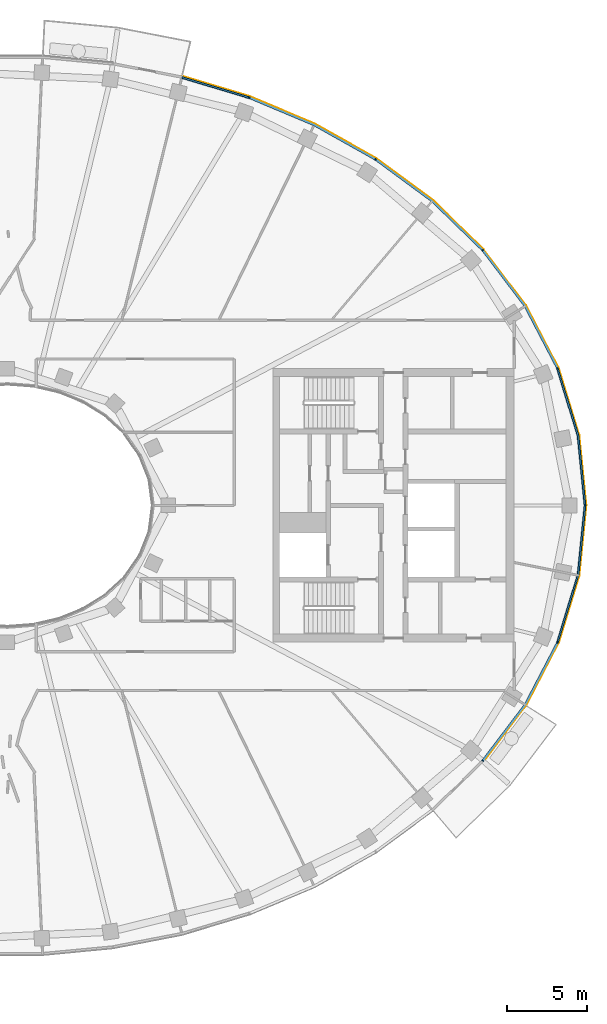
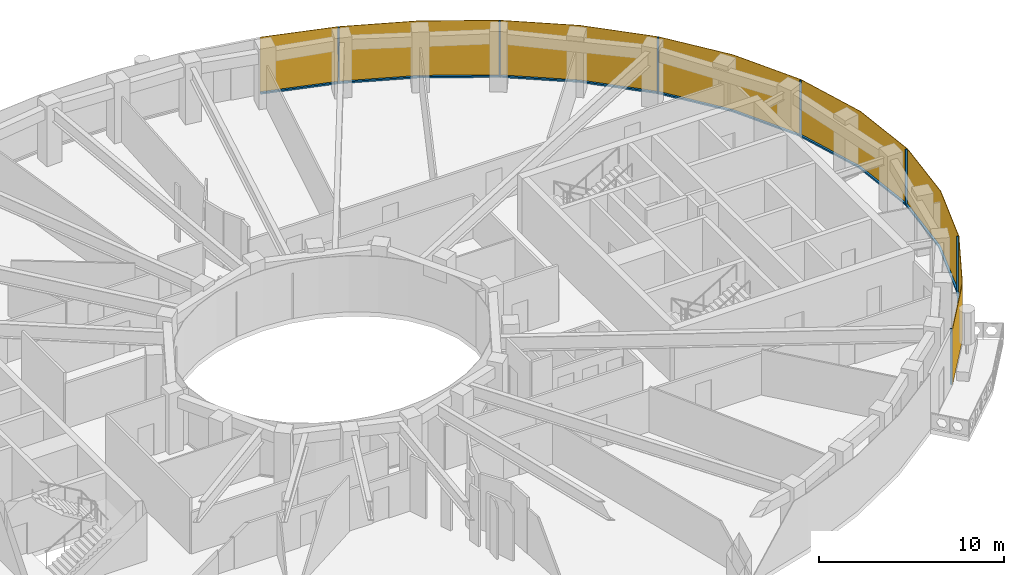
# One storey, part 13 of 16: 14 members, 1 curtain wall.
"""IFC4 building model written with IfcOpenShell, lengths in metres."""

import ifcopenshell
import ifcopenshell.guid

model = None  # the IFC model being written
_history = None  # IfcOwnerHistory: only IFC2X3 demands one
_inside = {}  # id of a spatial element -> (the spatial element, [elements in it])
_under = {}  # id of a project, library or spatial element -> (it, [spatial elements below it])
_declared = {}  # id of a project -> (the project, [libraries it declares])
_typed = {}  # id of a type object -> (the type object, [elements of that type])
_made_of = {}  # id of a material, layer set ... -> (it, [elements and type objects made of it])


def new_model(schema):
    """Start an empty IFC model of exactly this schema.

    Asked for "IFC4X3", IfcOpenShell would pick the latest addendum, in which some entities
    have other attributes; the version numbers below select the first issue.
    IFC2X3 requires an IfcOwnerHistory on every rooted entity: one is made here for all.
    """
    global model, _history
    if schema == "IFC4X3":
        model = ifcopenshell.file(schema_version=(4, 3, 0, 0))
    else:
        model = ifcopenshell.file(schema=schema)
    _inside.clear()
    _under.clear()
    _declared.clear()
    _typed.clear()
    _made_of.clear()
    _history = None
    if model.schema == "IFC2X3":
        org = make("IfcOrganization", Name="unknown")
        user = make(
            "IfcPersonAndOrganization",
            ThePerson=make("IfcPerson", FamilyName="unknown"),
            TheOrganization=org,
        )
        app = make(
            "IfcApplication",
            ApplicationDeveloper=org,
            Version="unknown",
            ApplicationFullName="unknown",
            ApplicationIdentifier="unknown",
        )
        _history = make(
            "IfcOwnerHistory",
            OwningUser=user,
            OwningApplication=app,
            ChangeAction="ADDED",
            CreationDate=0,
        )
    return model


def make(cls, **values):
    """One entity of the class cls with the attributes given. An attribute that is None is left unset."""
    return model.create_entity(
        cls, **{name: value for name, value in values.items() if value is not None}
    )


def rooted(cls, **values):
    """An entity with a GlobalId (a new one), such as an element, a storey or a relation."""
    return make(cls, GlobalId=ifcopenshell.guid.new(), OwnerHistory=_history, **values)


def si_unit(unit_type, name, prefix=None):
    """IfcSIUnit, for example si_unit("LENGTHUNIT", "METRE", prefix="MILLI")."""
    return make("IfcSIUnit", UnitType=unit_type, Prefix=prefix, Name=name)


def assignment(units):
    """IfcUnitAssignment: the units of a project."""
    return None if units is None else make("IfcUnitAssignment", Units=units)


def point(xyz):
    """IfcCartesianPoint."""
    return None if xyz is None else make("IfcCartesianPoint", Coordinates=xyz)


def direction(xyz):
    """IfcDirection."""
    return None if xyz is None else make("IfcDirection", DirectionRatios=xyz)


def frame(location, z_axis=None, x_axis=None):
    """IfcAxis2Placement3D, a coordinate frame: its origin and axes. An axis left out is left unset."""
    return make(
        "IfcAxis2Placement3D",
        Location=point(location),
        Axis=direction(z_axis),
        RefDirection=direction(x_axis),
    )


def frame_2d(location, x_axis=None):
    """IfcAxis2Placement2D, a coordinate frame in the plane: its origin and x axis."""
    return make(
        "IfcAxis2Placement2D", Location=point(location), RefDirection=direction(x_axis)
    )


def origin():
    """The frame at (0, 0, 0) with its axes left unset."""
    return frame((0.0, 0.0, 0.0))


def origin_2d():
    """The frame at (0, 0) in the plane with its x axis left unset."""
    return frame_2d((0.0, 0.0))


def place(relative_to, where):
    """IfcLocalPlacement: puts the frame where relative to a parent placement (None: the world)."""
    return make(
        "IfcLocalPlacement", PlacementRelTo=relative_to, RelativePlacement=where
    )


def context(
    kind, dimensions, precision=None, world=None, true_north=None, identifier=None
):
    """IfcGeometricRepresentationContext, for example the 3D "Model" context."""
    return make(
        "IfcGeometricRepresentationContext",
        ContextIdentifier=identifier,
        ContextType=kind,
        CoordinateSpaceDimension=dimensions,
        Precision=precision,
        WorldCoordinateSystem=world,
        TrueNorth=true_north,
    )


def subcontext(parent, identifier, kind, view, scale=None):
    """IfcGeometricRepresentationSubContext, for example "Body" below "Model"."""
    return make(
        "IfcGeometricRepresentationSubContext",
        ContextIdentifier=identifier,
        ContextType=kind,
        ParentContext=parent,
        TargetScale=scale,
        TargetView=view,
    )


def project(units=None, contexts=None):
    """IfcProject with its units and contexts."""
    return rooted(
        "IfcProject",
        Name="project",
        RepresentationContexts=contexts,
        UnitsInContext=assignment(units),
    )


def spatial(cls, under=None, at=None, **own):
    """A site, building, storey or space (cls), placed at a placement, below another one or the project."""
    s = rooted(cls, ObjectPlacement=at, **own)
    if under is not None:
        _under.setdefault(under.id(), (under, []))[1].append(s)
    return s


def polyline(points):
    """IfcPolyline through the points."""
    return make("IfcPolyline", Points=[point(p) for p in points])


def profile(cls, at=None, kind="AREA", **sizes):
    """A parametric profile (cls). Its sizes go by their IFC names, for example OverallWidth=200.0."""
    return make(cls, ProfileType=kind, Position=at, **sizes)


def rectangle(**sizes):
    """IfcRectangleProfileDef."""
    return profile("IfcRectangleProfileDef", **sizes)


def outline(outer, holes=None, kind="AREA"):
    """IfcArbitraryClosedProfileDef: a profile drawn as a closed curve; with holes, ...WithVoids."""
    if holes is None:
        return make("IfcArbitraryClosedProfileDef", ProfileType=kind, OuterCurve=outer)
    return make(
        "IfcArbitraryProfileDefWithVoids",
        ProfileType=kind,
        OuterCurve=outer,
        InnerCurves=holes,
    )


def extrude(swept, where, along, depth):
    """IfcExtrudedAreaSolid: the profile swept, set in the frame where, extruded along a direction by depth."""
    return make(
        "IfcExtrudedAreaSolid",
        SweptArea=swept,
        Position=where,
        ExtrudedDirection=direction(along),
        Depth=depth,
    )


def shape(context_of_items, identifier, shape_type, items):
    """IfcShapeRepresentation: the items that make up one representation, for example the "Body"."""
    return make(
        "IfcShapeRepresentation",
        ContextOfItems=context_of_items,
        RepresentationIdentifier=identifier,
        RepresentationType=shape_type,
        Items=items,
    )


def material(Name=None, Category=None):
    """IfcMaterial."""
    return make("IfcMaterial", Name=Name, Category=Category)


def layer(
    of_material, thickness, ventilated=None, Name=None, Category=None, Priority=None
):
    """IfcMaterialLayer: one layer of a wall or slab, of a material (None: an air gap)."""
    return make(
        "IfcMaterialLayer",
        Material=of_material,
        LayerThickness=thickness,
        IsVentilated=ventilated,
        Name=Name,
        Category=Category,
        Priority=Priority,
    )


def layer_set(layers, Name=None):
    """IfcMaterialLayerSet."""
    return make("IfcMaterialLayerSet", MaterialLayers=layers, LayerSetName=Name)


def material_profile(
    of_material, cross_section, Name=None, Category=None, Priority=None
):
    """IfcMaterialProfile: a cross section and its material."""
    return make(
        "IfcMaterialProfile",
        Name=Name,
        Material=of_material,
        Profile=cross_section,
        Priority=Priority,
        Category=Category,
    )


def profile_set(profiles, Name=None, composite=None):
    """IfcMaterialProfileSet."""
    return make(
        "IfcMaterialProfileSet",
        Name=Name,
        MaterialProfiles=profiles,
        CompositeProfile=composite,
    )


def made_of(thing, what):
    """Note that an element or type object is made of a material, layer set ...; save() writes the relation."""
    if what is not None:
        _made_of.setdefault(what.id(), (what, []))[1].append(thing)
    return thing


def type_object(cls, material=None, **own):
    """A type object (cls), such as IfcWallType, which elements share."""
    return made_of(rooted(cls, **own), material)


def element(
    cls,
    number,
    at=None,
    inside=None,
    cuts=None,
    type_object=None,
    material=None,
    context=None,
    identifier="Body",
    shape_type=None,
    held_by="IfcProductDefinitionShape",
    body=None,
    shapes=None,
    **own,
):
    """One element of the class cls, such as IfcWall. Its Tag is "e" and its number.

    at: its placement. inside: the storey or other place that contains it. cuts: it is an
    opening in that element (IfcRelVoidsElement). A single representation is given by context,
    identifier, shape_type and body (its items); several are given by shapes. held_by: the class
    of the entity that holds the representations. save() writes the other relations.
    """
    e = rooted(cls, Tag="e%d" % number, ObjectPlacement=at, **own)
    if body is not None:
        shapes = [shape(context, identifier, shape_type, body)]
    if shapes is not None:
        e.Representation = make(held_by, Representations=shapes)
    if inside is not None:
        _inside.setdefault(inside.id(), (inside, []))[1].append(e)
    if cuts is not None:
        rooted(
            "IfcRelVoidsElement", RelatingBuildingElement=cuts, RelatedOpeningElement=e
        )
    if type_object is not None:
        _typed.setdefault(type_object.id(), (type_object, []))[1].append(e)
    return made_of(e, material)


def aggregate(whole, parts):
    """IfcRelAggregates: a whole, such as a stair, and the parts it consists of."""
    return rooted("IfcRelAggregates", RelatingObject=whole, RelatedObjects=parts)


def save(model, path):
    """Write the relations noted so far, then the file.

    IfcRelAggregates (storeys below a building ...), IfcRelContainedInSpatialStructure (elements
    in a storey), IfcRelDefinesByType, IfcRelAssociatesMaterial and IfcRelDeclares: one each for
    every whole, place, type object, material and project.
    """
    for whole, parts in _under.values():
        aggregate(whole, parts)
    for where, things in _inside.values():
        rooted(
            "IfcRelContainedInSpatialStructure",
            RelatedElements=things,
            RelatingStructure=where,
        )
    for kind, things in _typed.values():
        rooted("IfcRelDefinesByType", RelatedObjects=things, RelatingType=kind)
    for what, things in _made_of.values():
        rooted("IfcRelAssociatesMaterial", RelatedObjects=things, RelatingMaterial=what)
    for by, libraries in _declared.values():
        rooted("IfcRelDeclares", RelatingContext=by, RelatedDefinitions=libraries)
    model.write(path)


model = new_model("IFC4")

# Units and contexts
model_context = context("Model", 3, precision=1e-05, world=origin(), true_north=direction((0.0, 1.0)))
body_context = subcontext(model_context, "Body", "Model", "MODEL_VIEW")
ifc_project = project(units=[si_unit("LENGTHUNIT", "METRE"), si_unit("AREAUNIT", "SQUARE_METRE"), si_unit("VOLUMEUNIT", "CUBIC_METRE"), si_unit("PLANEANGLEUNIT", "RADIAN"), si_unit("MASSUNIT", "GRAM", prefix="KILO")], contexts=[model_context])

# Member
ifc_material_1 = material(Name="Aluminium 6063-T6 black anodised", Category="aluminium")
ifc_material_profile = material_profile(ifc_material_1, rectangle(XDim=0.1201171875, YDim=0.06005859375, at=origin_2d()), Name="120x60")
ifc_profile_set = profile_set([ifc_material_profile], Name="Aluminium 6063-T6 black anodised")
member_type_1 = type_object("IfcMemberType", Name="ENV-MULLION-A-120", PredefinedType="MULLION", material=ifc_profile_set)
site_placement = place(None, origin())
building_placement = place(site_placement, origin())
storey_placement = place(building_placement, frame((0.0, 0.0, 315.0)))
member_1_placement = place(storey_placement, frame((29.53857421875, -15.8671875, 0.0), z_axis=(0.0, 0.0, 1.0), x_axis=(-0.749047221705, 0.662516610853, 0.0)))
member_1 = element("IfcMember", 1, at=member_1_placement, type_object=member_type_1, Name="Mullion A radial 43", PredefinedType="MULLION", context=body_context, shape_type="SweptSolid", body=[
    extrude(rectangle(XDim=0.1201171875, YDim=0.06005859375, at=origin_2d()), origin(), (0.0, 0.0, 1.0), 3.699951171875),
])

member_2_placement = place(storey_placement, frame((34.19580078125, -8.513916015625, 0.0), z_axis=(0.0, 0.0, 1.0), x_axis=(-0.92546738067, 0.378827305398, 0.0)))
member_2 = element("IfcMember", 2, at=member_2_placement, type_object=member_type_1, Name="Mullion A radial 45", PredefinedType="MULLION", context=body_context, shape_type="SweptSolid", body=[
    extrude(rectangle(XDim=0.1201171875, YDim=0.06005859375, at=origin_2d()), origin(), (0.0, 0.0, 1.0), 3.699951171875),
])

member_3_placement = place(storey_placement, frame((35.907958984375, 0.0, 0.0), z_axis=(0.0, 0.0, 1.0), x_axis=(-1.0, 0.0, 0.0)))
member_3 = element("IfcMember", 3, at=member_3_placement, type_object=member_type_1, Name="Mullion A radial 01", PredefinedType="MULLION", context=body_context, shape_type="SweptSolid", body=[
    extrude(rectangle(XDim=0.1201171875, YDim=0.06005859375, at=origin_2d()), origin(), (0.0, 0.0, 1.0), 3.699951171875),
])

member_4_placement = place(storey_placement, frame((34.19580078125, 8.513916015625, 0.0), z_axis=(0.0, 0.0, 1.0), x_axis=(-0.92546738067, -0.378827305398, 0.0)))
member_4 = element("IfcMember", 4, at=member_4_placement, type_object=member_type_1, Name="Mullion A radial 03", PredefinedType="MULLION", context=body_context, shape_type="SweptSolid", body=[
    extrude(rectangle(XDim=0.1201171875, YDim=0.06005859375, at=origin_2d()), origin(), (0.0, 0.0, 1.0), 3.699951171875),
])

member_5_placement = place(storey_placement, frame((29.53857421875, 15.8671875, 0.0), z_axis=(0.0, 0.0, 1.0), x_axis=(-0.749047221705, -0.662516610853, 0.0)))
member_5 = element("IfcMember", 5, at=member_5_placement, type_object=member_type_1, Name="Mullion A radial 05", PredefinedType="MULLION", context=body_context, shape_type="SweptSolid", body=[
    extrude(rectangle(XDim=0.1201171875, YDim=0.06005859375, at=origin_2d()), origin(), (0.0, 0.0, 1.0), 3.699951171875),
])

member_6_placement = place(storey_placement, frame((22.882568359375, 21.506591796875, 0.0), z_axis=(0.0, 0.0, 1.0), x_axis=(-0.542279153225, -0.840198381323, 0.0)))
member_6 = element("IfcMember", 6, at=member_6_placement, type_object=member_type_1, Name="Mullion A radial 07", PredefinedType="MULLION", context=body_context, shape_type="SweptSolid", body=[
    extrude(rectangle(XDim=0.1201171875, YDim=0.06005859375, at=origin_2d()), origin(), (0.0, 0.0, 1.0), 3.699951171875),
])

member_7_placement = place(storey_placement, frame((15.0341796875, 25.34375, 0.0), z_axis=(0.0, 0.0, 1.0), x_axis=(-0.338379256581, -0.941009818608, 0.0)))
member_7 = element("IfcMember", 7, at=member_7_placement, type_object=member_type_1, Name="Mullion A radial 09", PredefinedType="MULLION", context=body_context, shape_type="SweptSolid", body=[
    extrude(rectangle(XDim=0.1201171875, YDim=0.06005859375, at=origin_2d()), origin(), (0.0, 0.0, 1.0), 3.699951171875),
])

ifc_material_2 = material(Name="Aluminium 6063-T6 black anodised", Category="aluminium")
member_type_2 = type_object("IfcMemberType", Name="ENV-TRANSOM-A", PredefinedType="USERDEFINED", material=ifc_material_2)
member_8_placement = place(storey_placement, origin())
member_8 = element("IfcMember", 8, at=member_8_placement, type_object=member_type_2, Name="Transom A radial 43-45", ObjectType="TRANSOM", PredefinedType="USERDEFINED", context=body_context, shape_type="SweptSolid", body=[
    extrude(outline(polyline([(29.6005859375, -15.884521484375), (32.22802734375, -12.41748046875), (34.23828125, -8.5615234375), (34.126708984375, -8.515869140625), (32.126220703125, -12.35302734375), (29.51025390625, -15.8046875), (29.6005859375, -15.884521484375)])), origin(), (0.0, 0.0, 1.0), 0.10009765625),
])

member_9_placement = place(storey_placement, origin())
member_9 = element("IfcMember", 9, at=member_9_placement, type_object=member_type_2, Name="Transom A radial 45-01", ObjectType="TRANSOM", PredefinedType="USERDEFINED", context=body_context, shape_type="SweptSolid", body=[
    extrude(outline(polyline([(34.259521484375, -8.509765625), (35.529541015625, -4.352294921875), (35.965087890625, -0.02783203125), (35.844482421875, -0.02783203125), (35.411376953125, -4.32861328125), (34.14794921875, -8.464111328125), (34.259521484375, -8.509765625)])), origin(), (0.0, 0.0, 1.0), 0.10009765625),
])

member_10_placement = place(storey_placement, origin())
member_10 = element("IfcMember", 10, at=member_10_placement, type_object=member_type_2, Name="Transom A radial 01-03", ObjectType="TRANSOM", PredefinedType="USERDEFINED", context=body_context, shape_type="SweptSolid", body=[
    extrude(outline(polyline([(35.965087890625, 0.02783203125), (35.529541015625, 4.352294921875), (34.259521484375, 8.509765625), (34.14794921875, 8.464111328125), (35.411376953125, 4.32861328125), (35.844482421875, 0.02783203125), (35.965087890625, 0.02783203125)])), origin(), (0.0, 0.0, 1.0), 0.10009765625),
])

member_11_placement = place(storey_placement, origin())
member_11 = element("IfcMember", 11, at=member_11_placement, type_object=member_type_2, Name="Transom A radial 03-05", ObjectType="TRANSOM", PredefinedType="USERDEFINED", context=body_context, shape_type="SweptSolid", body=[
    extrude(outline(polyline([(34.23828125, 8.5615234375), (32.22802734375, 12.41748046875), (29.6005859375, 15.884521484375), (29.51025390625, 15.8046875), (32.126220703125, 12.35302734375), (34.126708984375, 8.515869140625), (34.23828125, 8.5615234375)])), origin(), (0.0, 0.0, 1.0), 0.10009765625),
])

member_12_placement = place(storey_placement, origin())
member_12 = element("IfcMember", 12, at=member_12_placement, type_object=member_type_2, Name="Transom A radial 05-07", ObjectType="TRANSOM", PredefinedType="USERDEFINED", context=body_context, shape_type="SweptSolid", body=[
    extrude(outline(polyline([(29.5634765625, 15.926513671875), (26.4423828125, 18.958740234375), (22.937744140625, 21.540283203125), (22.87255859375, 21.439208984375), (26.364501953125, 18.866943359375), (29.473388671875, 15.8466796875), (29.5634765625, 15.926513671875)])), origin(), (0.0, 0.0, 1.0), 0.10009765625),
])

member_13_placement = place(storey_placement, origin())
member_13 = element("IfcMember", 13, at=member_13_placement, type_object=member_type_2, Name="Transom A radial 07-09", ObjectType="TRANSOM", PredefinedType="USERDEFINED", context=body_context, shape_type="SweptSolid", body=[
    extrude(outline(polyline([(22.890625, 21.570556640625), (19.093994140625, 23.701416015625), (15.080322265625, 25.389404296875), (15.03955078125, 25.276123046875), (19.041259765625, 23.593505859375), (22.825439453125, 21.469482421875), (22.890625, 21.570556640625)])), origin(), (0.0, 0.0, 1.0), 0.10009765625),
])

member_14_placement = place(storey_placement, origin())
member_14 = element("IfcMember", 14, at=member_14_placement, type_object=member_type_2, Name="Transom A radial 09-10", ObjectType="TRANSOM", PredefinedType="USERDEFINED", context=body_context, shape_type="SweptSolid", body=[
    extrude(outline(polyline([(15.027587890625, 25.408203125), (10.876708984375, 26.657470703125), (10.847900390625, 26.540771484375), (14.987060546875, 25.295166015625), (15.027587890625, 25.408203125)])), origin(), (0.0, 0.0, 1.0), 0.10009765625),
])

# Site, building, storey
site = spatial("IfcSite", under=ifc_project, at=site_placement, CompositionType="ELEMENT")
building = spatial("IfcBuilding", under=site, at=building_placement, Name="Noorbagh Ring Tower", CompositionType="ELEMENT")
storey = spatial("IfcBuildingStorey", under=building, at=storey_placement, Name="L68", CompositionType="ELEMENT", Elevation=315.0)

# Curtain wall
ifc_material_3 = material(Name="Glass dark tinted laminated", Category="glass")
ifc_layer = layer(ifc_material_3, 0.031982421875)
ifc_layer_set = layer_set([ifc_layer], Name="Glass dark tinted laminated")
curtain_wall_type = type_object("IfcCurtainWallType", Name="ENV-CW-A", PredefinedType="NOTDEFINED", material=ifc_layer_set)
curtain_wall_placement = place(storey_placement, origin())
curtain_wall = element("IfcCurtainWall", 15, at=curtain_wall_placement, inside=storey, type_object=curtain_wall_type, Name="Curtain wall A R43", PredefinedType="NOTDEFINED", context=body_context, shape_type="SweptSolid", body=[
    extrude(outline(polyline([(29.61962890625, -15.912109375), (32.255126953125, -12.434814453125), (34.281005859375, -8.548828125), (35.561279296875, -4.358642578125), (36.0, 0.0), (35.561279296875, 4.358642578125), (34.281005859375, 8.548828125), (32.255126953125, 12.434814453125), (29.607666015625, 15.927978515625), (26.463134765625, 18.9833984375), (22.9326171875, 21.583740234375), (19.108154296875, 23.730224609375), (15.065185546875, 25.430419921875), (10.884521484375, 26.6884765625), (10.876708984375, 26.657470703125), (15.054443359375, 25.400146484375), (19.093994140625, 23.701416015625), (22.9150390625, 21.556884765625), (26.4423828125, 18.958740234375), (29.58349609375, 15.906982421875), (32.22802734375, 12.41748046875), (34.251220703125, 8.53662109375), (35.529541015625, 4.352294921875), (35.9677734375, 0.0), (35.529541015625, -4.352294921875), (34.251220703125, -8.53662109375), (32.22802734375, -12.41748046875), (29.595703125, -15.890869140625), (29.61962890625, -15.912109375)])), origin(), (0.0, 0.0, 1.0), 3.699951171875),
])

aggregate(curtain_wall, [member_1, member_2, member_3, member_4, member_5, member_6, member_7, member_8, member_9, member_10, member_11, member_12, member_13, member_14])

save(model, "model.ifc")
